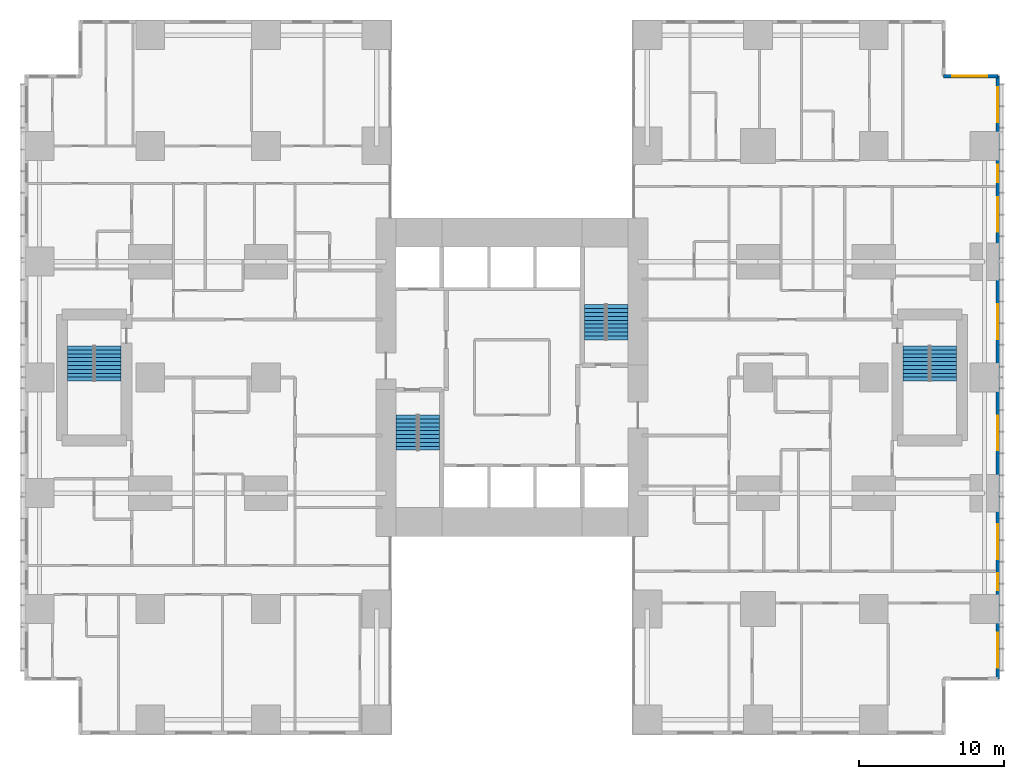
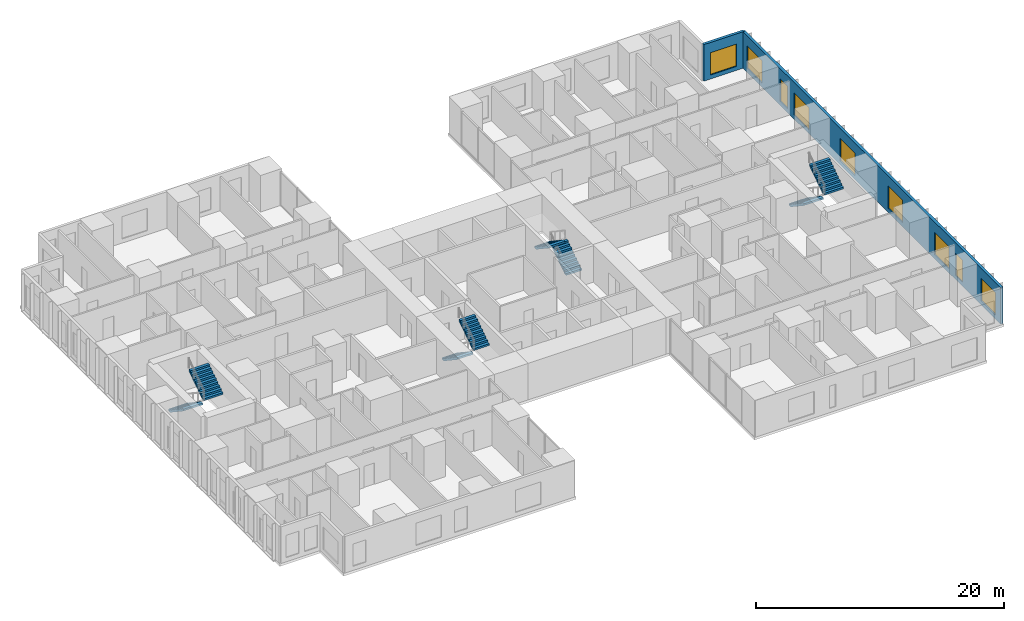
# One storey, part 19 of 20: 9 windows, 8 stair flights, 2 walls, 9 openings, 4 elements without a shape of their own.
"""IFC4 building model written with IfcOpenShell, lengths in metres."""

import ifcopenshell
import ifcopenshell.guid

model = None  # the IFC model being written
_history = None  # IfcOwnerHistory: only IFC2X3 demands one
_inside = {}  # id of a spatial element -> (the spatial element, [elements in it])
_under = {}  # id of a project, library or spatial element -> (it, [spatial elements below it])
_declared = {}  # id of a project -> (the project, [libraries it declares])
_typed = {}  # id of a type object -> (the type object, [elements of that type])
_made_of = {}  # id of a material, layer set ... -> (it, [elements and type objects made of it])


def new_model(schema):
    """Start an empty IFC model of exactly this schema.

    Asked for "IFC4X3", IfcOpenShell would pick the latest addendum, in which some entities
    have other attributes; the version numbers below select the first issue.
    IFC2X3 requires an IfcOwnerHistory on every rooted entity: one is made here for all.
    """
    global model, _history
    if schema == "IFC4X3":
        model = ifcopenshell.file(schema_version=(4, 3, 0, 0))
    else:
        model = ifcopenshell.file(schema=schema)
    _inside.clear()
    _under.clear()
    _declared.clear()
    _typed.clear()
    _made_of.clear()
    _history = None
    if model.schema == "IFC2X3":
        org = make("IfcOrganization", Name="unknown")
        user = make(
            "IfcPersonAndOrganization",
            ThePerson=make("IfcPerson", FamilyName="unknown"),
            TheOrganization=org,
        )
        app = make(
            "IfcApplication",
            ApplicationDeveloper=org,
            Version="unknown",
            ApplicationFullName="unknown",
            ApplicationIdentifier="unknown",
        )
        _history = make(
            "IfcOwnerHistory",
            OwningUser=user,
            OwningApplication=app,
            ChangeAction="ADDED",
            CreationDate=0,
        )
    return model


def make(cls, **values):
    """One entity of the class cls with the attributes given. An attribute that is None is left unset."""
    return model.create_entity(
        cls, **{name: value for name, value in values.items() if value is not None}
    )


def rooted(cls, **values):
    """An entity with a GlobalId (a new one), such as an element, a storey or a relation."""
    return make(cls, GlobalId=ifcopenshell.guid.new(), OwnerHistory=_history, **values)


def si_unit(unit_type, name, prefix=None):
    """IfcSIUnit, for example si_unit("LENGTHUNIT", "METRE", prefix="MILLI")."""
    return make("IfcSIUnit", UnitType=unit_type, Prefix=prefix, Name=name)


def assignment(units):
    """IfcUnitAssignment: the units of a project."""
    return None if units is None else make("IfcUnitAssignment", Units=units)


def point(xyz):
    """IfcCartesianPoint."""
    return None if xyz is None else make("IfcCartesianPoint", Coordinates=xyz)


def direction(xyz):
    """IfcDirection."""
    return None if xyz is None else make("IfcDirection", DirectionRatios=xyz)


def frame(location, z_axis=None, x_axis=None):
    """IfcAxis2Placement3D, a coordinate frame: its origin and axes. An axis left out is left unset."""
    return make(
        "IfcAxis2Placement3D",
        Location=point(location),
        Axis=direction(z_axis),
        RefDirection=direction(x_axis),
    )


def frame_2d(location, x_axis=None):
    """IfcAxis2Placement2D, a coordinate frame in the plane: its origin and x axis."""
    return make(
        "IfcAxis2Placement2D", Location=point(location), RefDirection=direction(x_axis)
    )


def origin():
    """The frame at (0, 0, 0) with its axes left unset."""
    return frame((0.0, 0.0, 0.0))


def place(relative_to, where):
    """IfcLocalPlacement: puts the frame where relative to a parent placement (None: the world)."""
    return make(
        "IfcLocalPlacement", PlacementRelTo=relative_to, RelativePlacement=where
    )


def context(
    kind, dimensions, precision=None, world=None, true_north=None, identifier=None
):
    """IfcGeometricRepresentationContext, for example the 3D "Model" context."""
    return make(
        "IfcGeometricRepresentationContext",
        ContextIdentifier=identifier,
        ContextType=kind,
        CoordinateSpaceDimension=dimensions,
        Precision=precision,
        WorldCoordinateSystem=world,
        TrueNorth=true_north,
    )


def subcontext(parent, identifier, kind, view, scale=None):
    """IfcGeometricRepresentationSubContext, for example "Body" below "Model"."""
    return make(
        "IfcGeometricRepresentationSubContext",
        ContextIdentifier=identifier,
        ContextType=kind,
        ParentContext=parent,
        TargetScale=scale,
        TargetView=view,
    )


def project(units=None, contexts=None):
    """IfcProject with its units and contexts."""
    return rooted(
        "IfcProject",
        Name="project",
        RepresentationContexts=contexts,
        UnitsInContext=assignment(units),
    )


def spatial(cls, under=None, at=None, **own):
    """A site, building, storey or space (cls), placed at a placement, below another one or the project."""
    s = rooted(cls, ObjectPlacement=at, **own)
    if under is not None:
        _under.setdefault(under.id(), (under, []))[1].append(s)
    return s


def polyline(points):
    """IfcPolyline through the points."""
    return make("IfcPolyline", Points=[point(p) for p in points])


def profile(cls, at=None, kind="AREA", **sizes):
    """A parametric profile (cls). Its sizes go by their IFC names, for example OverallWidth=200.0."""
    return make(cls, ProfileType=kind, Position=at, **sizes)


def rectangle(**sizes):
    """IfcRectangleProfileDef."""
    return profile("IfcRectangleProfileDef", **sizes)


def outline(outer, holes=None, kind="AREA"):
    """IfcArbitraryClosedProfileDef: a profile drawn as a closed curve; with holes, ...WithVoids."""
    if holes is None:
        return make("IfcArbitraryClosedProfileDef", ProfileType=kind, OuterCurve=outer)
    return make(
        "IfcArbitraryProfileDefWithVoids",
        ProfileType=kind,
        OuterCurve=outer,
        InnerCurves=holes,
    )


def extrude(swept, where, along, depth):
    """IfcExtrudedAreaSolid: the profile swept, set in the frame where, extruded along a direction by depth."""
    return make(
        "IfcExtrudedAreaSolid",
        SweptArea=swept,
        Position=where,
        ExtrudedDirection=direction(along),
        Depth=depth,
    )


def shape(context_of_items, identifier, shape_type, items):
    """IfcShapeRepresentation: the items that make up one representation, for example the "Body"."""
    return make(
        "IfcShapeRepresentation",
        ContextOfItems=context_of_items,
        RepresentationIdentifier=identifier,
        RepresentationType=shape_type,
        Items=items,
    )


def material(Name=None, Category=None):
    """IfcMaterial."""
    return make("IfcMaterial", Name=Name, Category=Category)


def layer(
    of_material, thickness, ventilated=None, Name=None, Category=None, Priority=None
):
    """IfcMaterialLayer: one layer of a wall or slab, of a material (None: an air gap)."""
    return make(
        "IfcMaterialLayer",
        Material=of_material,
        LayerThickness=thickness,
        IsVentilated=ventilated,
        Name=Name,
        Category=Category,
        Priority=Priority,
    )


def layer_set(layers, Name=None):
    """IfcMaterialLayerSet."""
    return make("IfcMaterialLayerSet", MaterialLayers=layers, LayerSetName=Name)


def made_of(thing, what):
    """Note that an element or type object is made of a material, layer set ...; save() writes the relation."""
    if what is not None:
        _made_of.setdefault(what.id(), (what, []))[1].append(thing)
    return thing


def type_object(cls, material=None, **own):
    """A type object (cls), such as IfcWallType, which elements share."""
    return made_of(rooted(cls, **own), material)


def element(
    cls,
    number,
    at=None,
    inside=None,
    cuts=None,
    type_object=None,
    material=None,
    context=None,
    identifier="Body",
    shape_type=None,
    held_by="IfcProductDefinitionShape",
    body=None,
    shapes=None,
    **own,
):
    """One element of the class cls, such as IfcWall. Its Tag is "e" and its number.

    at: its placement. inside: the storey or other place that contains it. cuts: it is an
    opening in that element (IfcRelVoidsElement). A single representation is given by context,
    identifier, shape_type and body (its items); several are given by shapes. held_by: the class
    of the entity that holds the representations. save() writes the other relations.
    """
    e = rooted(cls, Tag="e%d" % number, ObjectPlacement=at, **own)
    if body is not None:
        shapes = [shape(context, identifier, shape_type, body)]
    if shapes is not None:
        e.Representation = make(held_by, Representations=shapes)
    if inside is not None:
        _inside.setdefault(inside.id(), (inside, []))[1].append(e)
    if cuts is not None:
        rooted(
            "IfcRelVoidsElement", RelatingBuildingElement=cuts, RelatedOpeningElement=e
        )
    if type_object is not None:
        _typed.setdefault(type_object.id(), (type_object, []))[1].append(e)
    return made_of(e, material)


def fill(opening, filler):
    """IfcRelFillsElement: the door or window that sits in an opening."""
    return rooted(
        "IfcRelFillsElement",
        RelatingOpeningElement=opening,
        RelatedBuildingElement=filler,
    )


def aggregate(whole, parts):
    """IfcRelAggregates: a whole, such as a stair, and the parts it consists of."""
    return rooted("IfcRelAggregates", RelatingObject=whole, RelatedObjects=parts)


def save(model, path):
    """Write the relations noted so far, then the file.

    IfcRelAggregates (storeys below a building ...), IfcRelContainedInSpatialStructure (elements
    in a storey), IfcRelDefinesByType, IfcRelAssociatesMaterial and IfcRelDeclares: one each for
    every whole, place, type object, material and project.
    """
    for whole, parts in _under.values():
        aggregate(whole, parts)
    for where, things in _inside.values():
        rooted(
            "IfcRelContainedInSpatialStructure",
            RelatedElements=things,
            RelatingStructure=where,
        )
    for kind, things in _typed.values():
        rooted("IfcRelDefinesByType", RelatedObjects=things, RelatingType=kind)
    for what, things in _made_of.values():
        rooted("IfcRelAssociatesMaterial", RelatedObjects=things, RelatingMaterial=what)
    for by, libraries in _declared.values():
        rooted("IfcRelDeclares", RelatingContext=by, RelatedDefinitions=libraries)
    model.write(path)


model = new_model("IFC4")

# Units and contexts
model_context = context("Model", 3, precision=1e-05, world=origin(), true_north=direction((0.0, 1.0)))
body_context = subcontext(model_context, "Body", "Model", "MODEL_VIEW")
ifc_project = project(units=[si_unit("LENGTHUNIT", "METRE"), si_unit("AREAUNIT", "SQUARE_METRE"), si_unit("VOLUMEUNIT", "CUBIC_METRE"), si_unit("PLANEANGLEUNIT", "RADIAN"), si_unit("MASSUNIT", "GRAM", prefix="KILO")], contexts=[model_context])

# Site, building, storey
site_placement = place(None, origin())
site = spatial("IfcSite", under=ifc_project, at=site_placement, CompositionType="ELEMENT")
building_placement = place(site_placement, origin())
building = spatial("IfcBuilding", under=site, at=building_placement, Name="Cleftline Residences", CompositionType="ELEMENT")
storey_placement = place(building_placement, frame((0.0, 0.0, 150.199951171875)))
storey = spatial("IfcBuildingStorey", under=building, at=storey_placement, Name="L39", CompositionType="ELEMENT", Elevation=150.199951171875)

# Wall, openings, windows
ifc_material_1 = material(Name="Rendered reinforced concrete blockwork", Category="masonry")
ifc_layer = layer(ifc_material_1, 0.25)
ifc_layer_set = layer_set([ifc_layer], Name="EXTERNAL WALL 250")
wall_type = type_object("IfcWallType", Name="EXTERNAL WALL 250", PredefinedType="SOLIDWALL", material=ifc_layer_set)
wall_1_placement = place(storey_placement, frame((66.574951171875, 3.175048828125, 0.0), z_axis=(0.0, 0.0, 1.0), x_axis=(0.0, 1.0, 0.0)))
wall_1 = element("IfcWall", 1, at=wall_1_placement, inside=storey, type_object=wall_type, Name="External wall", PredefinedType="SOLIDWALL", context=body_context, shape_type="SweptSolid", body=[
    extrude(rectangle(XDim=41.64990234375, YDim=0.25, at=frame_2d((20.824951171875, 0.0))), origin(), (0.0, 0.0, 1.0), 3.60009765625),
])
opening_1_placement = place(wall_1_placement, frame((0.77490234375, 0.0, 0.39990234375)))
opening_1 = element("IfcOpeningElement", 2, at=opening_1_placement, cuts=wall_1, Name="Opening W12", PredefinedType="OPENING", context=body_context, shape_type="SweptSolid", body=[
    extrude(rectangle(XDim=2.39990234375, YDim=2.199951171875, at=frame_2d((1.199951171875, 1.10009765625))), frame((0.0, 0.135009765625, 0.0), z_axis=(0.0, -1.0, 0.0), x_axis=(1.0, 0.0, 0.0)), (0.0, 0.0, 1.0), 0.27001953125),
])
opening_2_placement = place(wall_1_placement, frame((6.10009765625, 0.0, 0.39990234375)))
opening_2 = element("IfcOpeningElement", 3, at=opening_2_placement, cuts=wall_1, Name="Opening W11", PredefinedType="OPENING", context=body_context, shape_type="SweptSolid", body=[
    extrude(rectangle(XDim=1.199951171875, YDim=2.199951171875, at=frame_2d((0.60009765625, 1.10009765625))), frame((0.0, 0.135009765625, 0.0), z_axis=(0.0, -1.0, 0.0), x_axis=(1.0, 0.0, 0.0)), (0.0, 0.0, 1.0), 0.27001953125),
])
opening_3_placement = place(wall_1_placement, frame((8.27490234375, 0.0, 0.39990234375)))
opening_3 = element("IfcOpeningElement", 4, at=opening_3_placement, cuts=wall_1, Name="Opening W12", PredefinedType="OPENING", context=body_context, shape_type="SweptSolid", body=[
    extrude(rectangle(XDim=2.39990234375, YDim=2.199951171875, at=frame_2d((1.199951171875, 1.10009765625))), frame((0.0, 0.135009765625, 0.0), z_axis=(0.0, -1.0, 0.0), x_axis=(1.0, 0.0, 0.0)), (0.0, 0.0, 1.0), 0.27001953125),
])
opening_4_placement = place(wall_1_placement, frame((15.77490234375, 0.0, 0.39990234375)))
opening_4 = element("IfcOpeningElement", 5, at=opening_4_placement, cuts=wall_1, Name="Opening W12", PredefinedType="OPENING", context=body_context, shape_type="SweptSolid", body=[
    extrude(rectangle(XDim=2.39990234375, YDim=2.199951171875, at=frame_2d((1.199951171875, 1.10009765625))), frame((0.0, 0.135009765625, 0.0), z_axis=(0.0, -1.0, 0.0), x_axis=(1.0, 0.0, 0.0)), (0.0, 0.0, 1.0), 0.27001953125),
])
opening_5_placement = place(wall_1_placement, frame((23.47509765625, 0.0, 0.39990234375)))
opening_5 = element("IfcOpeningElement", 6, at=opening_5_placement, cuts=wall_1, Name="Opening W12", PredefinedType="OPENING", context=body_context, shape_type="SweptSolid", body=[
    extrude(rectangle(XDim=2.39990234375, YDim=2.199951171875, at=frame_2d((1.199951171875, 1.10009765625))), frame((0.0, 0.135009765625, 0.0), z_axis=(0.0, -1.0, 0.0), x_axis=(1.0, 0.0, 0.0)), (0.0, 0.0, 1.0), 0.27001953125),
])
opening_6_placement = place(wall_1_placement, frame((30.875, 0.0, 0.39990234375)))
opening_6 = element("IfcOpeningElement", 7, at=opening_6_placement, cuts=wall_1, Name="Opening W12", PredefinedType="OPENING", context=body_context, shape_type="SweptSolid", body=[
    extrude(rectangle(XDim=2.39990234375, YDim=2.199951171875, at=frame_2d((1.199951171875, 1.10009765625))), frame((0.0, 0.135009765625, 0.0), z_axis=(0.0, -1.0, 0.0), x_axis=(1.0, 0.0, 0.0)), (0.0, 0.0, 1.0), 0.27001953125),
])
opening_7_placement = place(wall_1_placement, frame((34.324951171875, 0.0, 0.39990234375)))
opening_7 = element("IfcOpeningElement", 8, at=opening_7_placement, cuts=wall_1, Name="Opening W11", PredefinedType="OPENING", context=body_context, shape_type="SweptSolid", body=[
    extrude(rectangle(XDim=1.199951171875, YDim=2.199951171875, at=frame_2d((0.60009765625, 1.10009765625))), frame((0.0, 0.135009765625, 0.0), z_axis=(0.0, -1.0, 0.0), x_axis=(1.0, 0.0, 0.0)), (0.0, 0.0, 1.0), 0.27001953125),
])
opening_8_placement = place(wall_1_placement, frame((38.47509765625, 0.0, 0.39990234375)))
opening_8 = element("IfcOpeningElement", 9, at=opening_8_placement, cuts=wall_1, Name="Opening W12", PredefinedType="OPENING", context=body_context, shape_type="SweptSolid", body=[
    extrude(rectangle(XDim=2.39990234375, YDim=2.199951171875, at=frame_2d((1.199951171875, 1.10009765625))), frame((0.0, 0.135009765625, 0.0), z_axis=(0.0, -1.0, 0.0), x_axis=(1.0, 0.0, 0.0)), (0.0, 0.0, 1.0), 0.27001953125),
])
ifc_material_2 = material(Name="Aluminium frame, clear double glazing", Category="aluminium")
window_type_1 = type_object("IfcWindowType", Name="WINDOW 1200X2200", PartitioningType="DOUBLE_PANEL_VERTICAL", PredefinedType="WINDOW", material=ifc_material_2)
window_1_placement = place(opening_2_placement, origin())
window_1 = element("IfcWindow", 10, at=window_1_placement, inside=storey, type_object=window_type_1, Name="Window", OverallHeight=2.199951171875, OverallWidth=1.199951171875, PartitioningType="SINGLE_PANEL", PredefinedType="WINDOW", context=body_context, shape_type="SweptSolid", body=[
    extrude(rectangle(XDim=1.199951171875, YDim=2.199951171875, at=frame_2d((0.60009765625, 1.10009765625))), frame((0.0, 0.030029296875, 0.0), z_axis=(0.0, -1.0, 0.0), x_axis=(1.0, 0.0, 0.0)), (0.0, 0.0, 1.0), 0.06005859375),
])
fill(opening_2, window_1)
window_2_placement = place(opening_7_placement, origin())
window_2 = element("IfcWindow", 11, at=window_2_placement, inside=storey, type_object=window_type_1, Name="Window", OverallHeight=2.199951171875, OverallWidth=1.199951171875, PartitioningType="SINGLE_PANEL", PredefinedType="WINDOW", context=body_context, shape_type="SweptSolid", body=[
    extrude(rectangle(XDim=1.199951171875, YDim=2.199951171875, at=frame_2d((0.60009765625, 1.10009765625))), frame((0.0, 0.030029296875, 0.0), z_axis=(0.0, -1.0, 0.0), x_axis=(1.0, 0.0, 0.0)), (0.0, 0.0, 1.0), 0.06005859375),
])
fill(opening_7, window_2)
ifc_material_3 = material(Name="Aluminium frame, clear double glazing", Category="aluminium")
window_type_2 = type_object("IfcWindowType", Name="WINDOW 2400X2200", PartitioningType="DOUBLE_PANEL_VERTICAL", PredefinedType="WINDOW", material=ifc_material_3)
window_3_placement = place(opening_1_placement, origin())
window_3 = element("IfcWindow", 12, at=window_3_placement, inside=storey, type_object=window_type_2, Name="Window", OverallHeight=2.199951171875, OverallWidth=2.39990234375, PartitioningType="SINGLE_PANEL", PredefinedType="WINDOW", context=body_context, shape_type="SweptSolid", body=[
    extrude(rectangle(XDim=2.39990234375, YDim=2.199951171875, at=frame_2d((1.199951171875, 1.10009765625))), frame((0.0, 0.030029296875, 0.0), z_axis=(0.0, -1.0, 0.0), x_axis=(1.0, 0.0, 0.0)), (0.0, 0.0, 1.0), 0.06005859375),
])
fill(opening_1, window_3)
window_4_placement = place(opening_3_placement, origin())
window_4 = element("IfcWindow", 13, at=window_4_placement, inside=storey, type_object=window_type_2, Name="Window", OverallHeight=2.199951171875, OverallWidth=2.39990234375, PartitioningType="SINGLE_PANEL", PredefinedType="WINDOW", context=body_context, shape_type="SweptSolid", body=[
    extrude(rectangle(XDim=2.39990234375, YDim=2.199951171875, at=frame_2d((1.199951171875, 1.10009765625))), frame((0.0, 0.030029296875, 0.0), z_axis=(0.0, -1.0, 0.0), x_axis=(1.0, 0.0, 0.0)), (0.0, 0.0, 1.0), 0.06005859375),
])
fill(opening_3, window_4)
window_5_placement = place(opening_4_placement, origin())
window_5 = element("IfcWindow", 14, at=window_5_placement, inside=storey, type_object=window_type_2, Name="Window", OverallHeight=2.199951171875, OverallWidth=2.39990234375, PartitioningType="SINGLE_PANEL", PredefinedType="WINDOW", context=body_context, shape_type="SweptSolid", body=[
    extrude(rectangle(XDim=2.39990234375, YDim=2.199951171875, at=frame_2d((1.199951171875, 1.10009765625))), frame((0.0, 0.030029296875, 0.0), z_axis=(0.0, -1.0, 0.0), x_axis=(1.0, 0.0, 0.0)), (0.0, 0.0, 1.0), 0.06005859375),
])
fill(opening_4, window_5)
window_6_placement = place(opening_5_placement, origin())
window_6 = element("IfcWindow", 15, at=window_6_placement, inside=storey, type_object=window_type_2, Name="Window", OverallHeight=2.199951171875, OverallWidth=2.39990234375, PartitioningType="SINGLE_PANEL", PredefinedType="WINDOW", context=body_context, shape_type="SweptSolid", body=[
    extrude(rectangle(XDim=2.39990234375, YDim=2.199951171875, at=frame_2d((1.199951171875, 1.10009765625))), frame((0.0, 0.030029296875, 0.0), z_axis=(0.0, -1.0, 0.0), x_axis=(1.0, 0.0, 0.0)), (0.0, 0.0, 1.0), 0.06005859375),
])
fill(opening_5, window_6)
window_7_placement = place(opening_6_placement, origin())
window_7 = element("IfcWindow", 16, at=window_7_placement, inside=storey, type_object=window_type_2, Name="Window", OverallHeight=2.199951171875, OverallWidth=2.39990234375, PartitioningType="SINGLE_PANEL", PredefinedType="WINDOW", context=body_context, shape_type="SweptSolid", body=[
    extrude(rectangle(XDim=2.39990234375, YDim=2.199951171875, at=frame_2d((1.199951171875, 1.10009765625))), frame((0.0, 0.030029296875, 0.0), z_axis=(0.0, -1.0, 0.0), x_axis=(1.0, 0.0, 0.0)), (0.0, 0.0, 1.0), 0.06005859375),
])
fill(opening_6, window_7)
window_8_placement = place(opening_8_placement, origin())
window_8 = element("IfcWindow", 17, at=window_8_placement, inside=storey, type_object=window_type_2, Name="Window", OverallHeight=2.199951171875, OverallWidth=2.39990234375, PartitioningType="SINGLE_PANEL", PredefinedType="WINDOW", context=body_context, shape_type="SweptSolid", body=[
    extrude(rectangle(XDim=2.39990234375, YDim=2.199951171875, at=frame_2d((1.199951171875, 1.10009765625))), frame((0.0, 0.030029296875, 0.0), z_axis=(0.0, -1.0, 0.0), x_axis=(1.0, 0.0, 0.0)), (0.0, 0.0, 1.0), 0.06005859375),
])
fill(opening_8, window_8)

# Wall, opening, window
wall_2_placement = place(storey_placement, frame((66.574951171875, 44.824951171875, 0.0), z_axis=(0.0, 0.0, 1.0), x_axis=(-1.0, 0.0, 0.0)))
wall_2 = element("IfcWall", 18, at=wall_2_placement, inside=storey, type_object=wall_type, Name="External wall", PredefinedType="SOLIDWALL", context=body_context, shape_type="SweptSolid", body=[
    extrude(rectangle(XDim=3.75, YDim=0.25, at=frame_2d((1.875, 0.0))), origin(), (0.0, 0.0, 1.0), 3.60009765625),
])
opening_9_placement = place(wall_2_placement, frame((0.737548828125, 0.0, 0.39990234375)))
opening_9 = element("IfcOpeningElement", 19, at=opening_9_placement, cuts=wall_2, Name="Opening W12", PredefinedType="OPENING", context=body_context, shape_type="SweptSolid", body=[
    extrude(rectangle(XDim=2.39990234375, YDim=2.199951171875, at=frame_2d((1.199951171875, 1.10009765625))), frame((0.0, 0.135009765625, 0.0), z_axis=(0.0, -1.0, 0.0), x_axis=(1.0, 0.0, 0.0)), (0.0, 0.0, 1.0), 0.27001953125),
])
window_9_placement = place(opening_9_placement, origin())
window_9 = element("IfcWindow", 20, at=window_9_placement, inside=storey, type_object=window_type_2, Name="Window", OverallHeight=2.199951171875, OverallWidth=2.39990234375, PartitioningType="SINGLE_PANEL", PredefinedType="WINDOW", context=body_context, shape_type="SweptSolid", body=[
    extrude(rectangle(XDim=2.39990234375, YDim=2.199951171875, at=frame_2d((1.199951171875, 1.10009765625))), frame((0.0, 0.030029296875, 0.0), z_axis=(0.0, -1.0, 0.0), x_axis=(1.0, 0.0, 0.0)), (0.0, 0.0, 1.0), 0.06005859375),
])
fill(opening_9, window_9)

# Stair, stair flights
ifc_material_4 = material(Name="Concrete B45, stone treads", Category="masonry")
stair_type_1 = type_object("IfcStairType", Name="STAIR A 1450 WIDE 180 RISER", PredefinedType="HALF_TURN_STAIR", material=ifc_material_4)
stair_1_placement = place(storey_placement, origin())
stair_1 = element("IfcStair", 21, at=stair_1_placement, inside=storey, type_object=stair_type_1, Name="Stair A L39", PredefinedType="HALF_TURN_STAIR")
ifc_material_5 = material(Name="Concrete B45", Category="concrete")
stair_flight_type_1 = type_object("IfcStairFlightType", Name="STAIR A FLIGHT 1450X180", PredefinedType="STRAIGHT", material=ifc_material_5)
stair_flight_1_placement = place(storey_placement, frame((25.72509765625, 21.39990234375, 0.0), z_axis=(0.0, 0.0, 1.0), x_axis=(0.0, -1.0, 0.0)))
stair_flight_1 = element("IfcStairFlight", 22, at=stair_flight_1_placement, type_object=stair_flight_type_1, Name="ST-A flight 1", NumberOfRisers=10, NumberOfTreads=9, PredefinedType="STRAIGHT", RiserHeight=0.18, TreadLength=0.27, context=body_context, shape_type="SweptSolid", body=[
    extrude(outline(polyline([(0.0, 0.0), (0.0, 0.013916015625), (0.0, 0.027587890625), (0.0, 0.04150390625), (0.0, 0.055419921875), (0.0, 0.0693359375), (0.0, 0.0830078125), (0.0, 0.096923828125), (0.0, 0.11083984375), (0.0, 0.12451171875), (0.0, 0.138427734375), (0.0, 0.15234375), (0.0, 0.166259765625), (0.0, 0.179931640625), (0.27001953125, 0.179931640625), (0.27001953125, 0.360107421875), (0.5400390625, 0.360107421875), (0.5400390625, 0.5400390625), (0.81005859375, 0.5400390625), (0.81005859375, 0.719970703125), (1.080078125, 0.719970703125), (1.080078125, 0.89990234375), (1.35009765625, 0.89990234375), (1.35009765625, 1.080078125), (1.6201171875, 1.080078125), (1.6201171875, 1.260009765625), (1.889892578125, 1.260009765625), (1.889892578125, 1.43994140625), (2.159912109375, 1.43994140625), (2.159912109375, 1.6201171875), (2.429931640625, 1.6201171875), (2.429931640625, 1.800048828125), (2.429931640625, 1.772216796875), (2.429931640625, 1.74462890625), (2.429931640625, 1.716796875), (2.429931640625, 1.689208984375), (2.429931640625, 1.661376953125), (2.429931640625, 1.6337890625), (2.429931640625, 1.60595703125), (2.429931640625, 1.578369140625), (2.429931640625, 1.550537109375), (2.429931640625, 1.52294921875), (2.429931640625, 1.495361328125), (2.429931640625, 1.467529296875), (2.429931640625, 1.43994140625), (0.270263671875, 0.0), (0.0, 0.0)])), frame((0.0, 0.72509765625, 0.0), z_axis=(0.0, -1.0, 0.0), x_axis=(1.0, 0.0, 0.0)), (0.0, 0.0, 1.0), 1.449951171875),
])
stair_flight_2_placement = place(storey_placement, frame((27.27490234375, 18.969970703125, 1.800048828125), z_axis=(0.0, 0.0, 1.0), x_axis=(0.0, 1.0, 0.0)))
stair_flight_2 = element("IfcStairFlight", 23, at=stair_flight_2_placement, type_object=stair_flight_type_1, Name="ST-A flight 2", NumberOfRisers=10, NumberOfTreads=9, PredefinedType="STRAIGHT", RiserHeight=0.18, TreadLength=0.27, context=body_context, shape_type="SweptSolid", body=[
    extrude(outline(polyline([(0.0, 0.0), (0.0, 0.013916015625), (0.0, 0.027587890625), (0.0, 0.04150390625), (0.0, 0.055419921875), (0.0, 0.0693359375), (0.0, 0.0830078125), (0.0, 0.096923828125), (0.0, 0.11083984375), (0.0, 0.12451171875), (0.0, 0.138427734375), (0.0, 0.15234375), (0.0, 0.166259765625), (0.0, 0.179931640625), (0.27001953125, 0.179931640625), (0.27001953125, 0.360107421875), (0.5400390625, 0.360107421875), (0.5400390625, 0.5400390625), (0.81005859375, 0.5400390625), (0.81005859375, 0.719970703125), (1.080078125, 0.719970703125), (1.080078125, 0.89990234375), (1.35009765625, 0.89990234375), (1.35009765625, 1.080078125), (1.6201171875, 1.080078125), (1.6201171875, 1.260009765625), (1.889892578125, 1.260009765625), (1.889892578125, 1.43994140625), (2.159912109375, 1.43994140625), (2.159912109375, 1.6201171875), (2.429931640625, 1.6201171875), (2.429931640625, 1.800048828125), (2.429931640625, 1.772216796875), (2.429931640625, 1.74462890625), (2.429931640625, 1.716796875), (2.429931640625, 1.689208984375), (2.429931640625, 1.661376953125), (2.429931640625, 1.6337890625), (2.429931640625, 1.60595703125), (2.429931640625, 1.578369140625), (2.429931640625, 1.550537109375), (2.429931640625, 1.52294921875), (2.429931640625, 1.495361328125), (2.429931640625, 1.467529296875), (2.429931640625, 1.43994140625), (0.270263671875, 0.0), (0.0, 0.0)])), frame((0.0, 0.72509765625, 0.0), z_axis=(0.0, -1.0, 0.0), x_axis=(1.0, 0.0, 0.0)), (0.0, 0.0, 1.0), 1.449951171875),
])
aggregate(stair_1, [stair_flight_1, stair_flight_2])

ifc_material_6 = material(Name="Concrete B45, stone treads", Category="masonry")
stair_type_2 = type_object("IfcStairType", Name="STAIR B 1450 WIDE 180 RISER", PredefinedType="HALF_TURN_STAIR", material=ifc_material_6)
stair_2_placement = place(storey_placement, origin())
stair_2 = element("IfcStair", 24, at=stair_2_placement, inside=storey, type_object=stair_type_2, Name="Stair B L39", PredefinedType="HALF_TURN_STAIR")
ifc_material_7 = material(Name="Concrete B45", Category="concrete")
stair_flight_type_2 = type_object("IfcStairFlightType", Name="STAIR B FLIGHT 1450X180", PredefinedType="STRAIGHT", material=ifc_material_7)
stair_flight_3_placement = place(storey_placement, frame((40.27490234375, 26.60009765625, 0.0), z_axis=(0.0, 0.0, 1.0), x_axis=(0.0, 1.0, 0.0)))
stair_flight_3 = element("IfcStairFlight", 25, at=stair_flight_3_placement, type_object=stair_flight_type_2, Name="ST-B flight 1", NumberOfRisers=10, NumberOfTreads=9, PredefinedType="STRAIGHT", RiserHeight=0.18, TreadLength=0.27, context=body_context, shape_type="SweptSolid", body=[
    extrude(outline(polyline([(0.0, 0.0), (0.0, 0.013916015625), (0.0, 0.027587890625), (0.0, 0.04150390625), (0.0, 0.055419921875), (0.0, 0.0693359375), (0.0, 0.0830078125), (0.0, 0.096923828125), (0.0, 0.11083984375), (0.0, 0.12451171875), (0.0, 0.138427734375), (0.0, 0.15234375), (0.0, 0.166259765625), (0.0, 0.179931640625), (0.27001953125, 0.179931640625), (0.27001953125, 0.360107421875), (0.5400390625, 0.360107421875), (0.5400390625, 0.5400390625), (0.81005859375, 0.5400390625), (0.81005859375, 0.719970703125), (1.080078125, 0.719970703125), (1.080078125, 0.89990234375), (1.35009765625, 0.89990234375), (1.35009765625, 1.080078125), (1.6201171875, 1.080078125), (1.6201171875, 1.260009765625), (1.889892578125, 1.260009765625), (1.889892578125, 1.43994140625), (2.159912109375, 1.43994140625), (2.159912109375, 1.6201171875), (2.429931640625, 1.6201171875), (2.429931640625, 1.800048828125), (2.429931640625, 1.772216796875), (2.429931640625, 1.74462890625), (2.429931640625, 1.716796875), (2.429931640625, 1.689208984375), (2.429931640625, 1.661376953125), (2.429931640625, 1.6337890625), (2.429931640625, 1.60595703125), (2.429931640625, 1.578369140625), (2.429931640625, 1.550537109375), (2.429931640625, 1.52294921875), (2.429931640625, 1.495361328125), (2.429931640625, 1.467529296875), (2.429931640625, 1.43994140625), (0.270263671875, 0.0), (0.0, 0.0)])), frame((0.0, 0.72509765625, 0.0), z_axis=(0.0, -1.0, 0.0), x_axis=(1.0, 0.0, 0.0)), (0.0, 0.0, 1.0), 1.449951171875),
])
stair_flight_4_placement = place(storey_placement, frame((38.72509765625, 29.030029296875, 1.800048828125), z_axis=(0.0, 0.0, 1.0), x_axis=(0.0, -1.0, 0.0)))
stair_flight_4 = element("IfcStairFlight", 26, at=stair_flight_4_placement, type_object=stair_flight_type_2, Name="ST-B flight 2", NumberOfRisers=10, NumberOfTreads=9, PredefinedType="STRAIGHT", RiserHeight=0.18, TreadLength=0.27, context=body_context, shape_type="SweptSolid", body=[
    extrude(outline(polyline([(0.0, 0.0), (0.0, 0.013916015625), (0.0, 0.027587890625), (0.0, 0.04150390625), (0.0, 0.055419921875), (0.0, 0.0693359375), (0.0, 0.0830078125), (0.0, 0.096923828125), (0.0, 0.11083984375), (0.0, 0.12451171875), (0.0, 0.138427734375), (0.0, 0.15234375), (0.0, 0.166259765625), (0.0, 0.179931640625), (0.27001953125, 0.179931640625), (0.27001953125, 0.360107421875), (0.5400390625, 0.360107421875), (0.5400390625, 0.5400390625), (0.81005859375, 0.5400390625), (0.81005859375, 0.719970703125), (1.080078125, 0.719970703125), (1.080078125, 0.89990234375), (1.35009765625, 0.89990234375), (1.35009765625, 1.080078125), (1.6201171875, 1.080078125), (1.6201171875, 1.260009765625), (1.889892578125, 1.260009765625), (1.889892578125, 1.43994140625), (2.159912109375, 1.43994140625), (2.159912109375, 1.6201171875), (2.429931640625, 1.6201171875), (2.429931640625, 1.800048828125), (2.429931640625, 1.772216796875), (2.429931640625, 1.74462890625), (2.429931640625, 1.716796875), (2.429931640625, 1.689208984375), (2.429931640625, 1.661376953125), (2.429931640625, 1.6337890625), (2.429931640625, 1.60595703125), (2.429931640625, 1.578369140625), (2.429931640625, 1.550537109375), (2.429931640625, 1.52294921875), (2.429931640625, 1.495361328125), (2.429931640625, 1.467529296875), (2.429931640625, 1.43994140625), (0.270263671875, 0.0), (0.0, 0.0)])), frame((0.0, 0.72509765625, 0.0), z_axis=(0.0, -1.0, 0.0), x_axis=(1.0, 0.0, 0.0)), (0.0, 0.0, 1.0), 1.449951171875),
])
aggregate(stair_2, [stair_flight_3, stair_flight_4])

ifc_material_8 = material(Name="Concrete B45, stone treads", Category="masonry")
stair_type_3 = type_object("IfcStairType", Name="STAIR E 1800 WIDE 180 RISER", PredefinedType="HALF_TURN_STAIR", material=ifc_material_8)
stair_3_placement = place(storey_placement, origin())
stair_3 = element("IfcStair", 27, at=stair_3_placement, inside=storey, type_object=stair_type_3, Name="Stair E L39", PredefinedType="HALF_TURN_STAIR")
ifc_material_9 = material(Name="Concrete B45", Category="concrete")
stair_flight_type_3 = type_object("IfcStairFlightType", Name="STAIR E FLIGHT 1800X180", PredefinedType="STRAIGHT", material=ifc_material_9)
stair_flight_5_placement = place(storey_placement, frame((60.925048828125, 26.175048828125, 0.0), z_axis=(0.0, 0.0, 1.0), x_axis=(0.0, -1.0, 0.0)))
stair_flight_5 = element("IfcStairFlight", 28, at=stair_flight_5_placement, type_object=stair_flight_type_3, Name="ST-E flight 1", NumberOfRisers=10, NumberOfTreads=9, PredefinedType="STRAIGHT", RiserHeight=0.18, TreadLength=0.27, context=body_context, shape_type="SweptSolid", body=[
    extrude(outline(polyline([(0.0, 0.0), (0.0, 0.013916015625), (0.0, 0.027587890625), (0.0, 0.04150390625), (0.0, 0.055419921875), (0.0, 0.0693359375), (0.0, 0.0830078125), (0.0, 0.096923828125), (0.0, 0.11083984375), (0.0, 0.12451171875), (0.0, 0.138427734375), (0.0, 0.15234375), (0.0, 0.166259765625), (0.0, 0.179931640625), (0.27001953125, 0.179931640625), (0.27001953125, 0.360107421875), (0.5400390625, 0.360107421875), (0.5400390625, 0.5400390625), (0.81005859375, 0.5400390625), (0.81005859375, 0.719970703125), (1.080078125, 0.719970703125), (1.080078125, 0.89990234375), (1.35009765625, 0.89990234375), (1.35009765625, 1.080078125), (1.6201171875, 1.080078125), (1.6201171875, 1.260009765625), (1.889892578125, 1.260009765625), (1.889892578125, 1.43994140625), (2.159912109375, 1.43994140625), (2.159912109375, 1.6201171875), (2.429931640625, 1.6201171875), (2.429931640625, 1.800048828125), (2.429931640625, 1.772216796875), (2.429931640625, 1.74462890625), (2.429931640625, 1.716796875), (2.429931640625, 1.689208984375), (2.429931640625, 1.661376953125), (2.429931640625, 1.6337890625), (2.429931640625, 1.60595703125), (2.429931640625, 1.578369140625), (2.429931640625, 1.550537109375), (2.429931640625, 1.52294921875), (2.429931640625, 1.495361328125), (2.429931640625, 1.467529296875), (2.429931640625, 1.43994140625), (0.270263671875, 0.0), (0.0, 0.0)])), frame((0.0, 0.89990234375, 0.0), z_axis=(0.0, -1.0, 0.0), x_axis=(1.0, 0.0, 0.0)), (0.0, 0.0, 1.0), 1.800048828125),
])
stair_flight_6_placement = place(storey_placement, frame((62.824951171875, 23.7451171875, 1.800048828125), z_axis=(0.0, 0.0, 1.0), x_axis=(0.0, 1.0, 0.0)))
stair_flight_6 = element("IfcStairFlight", 29, at=stair_flight_6_placement, type_object=stair_flight_type_3, Name="ST-E flight 2", NumberOfRisers=10, NumberOfTreads=9, PredefinedType="STRAIGHT", RiserHeight=0.18, TreadLength=0.27, context=body_context, shape_type="SweptSolid", body=[
    extrude(outline(polyline([(0.0, 0.0), (0.0, 0.013916015625), (0.0, 0.027587890625), (0.0, 0.04150390625), (0.0, 0.055419921875), (0.0, 0.0693359375), (0.0, 0.0830078125), (0.0, 0.096923828125), (0.0, 0.11083984375), (0.0, 0.12451171875), (0.0, 0.138427734375), (0.0, 0.15234375), (0.0, 0.166259765625), (0.0, 0.179931640625), (0.27001953125, 0.179931640625), (0.27001953125, 0.360107421875), (0.5400390625, 0.360107421875), (0.5400390625, 0.5400390625), (0.81005859375, 0.5400390625), (0.81005859375, 0.719970703125), (1.080078125, 0.719970703125), (1.080078125, 0.89990234375), (1.35009765625, 0.89990234375), (1.35009765625, 1.080078125), (1.6201171875, 1.080078125), (1.6201171875, 1.260009765625), (1.889892578125, 1.260009765625), (1.889892578125, 1.43994140625), (2.159912109375, 1.43994140625), (2.159912109375, 1.6201171875), (2.429931640625, 1.6201171875), (2.429931640625, 1.800048828125), (2.429931640625, 1.772216796875), (2.429931640625, 1.74462890625), (2.429931640625, 1.716796875), (2.429931640625, 1.689208984375), (2.429931640625, 1.661376953125), (2.429931640625, 1.6337890625), (2.429931640625, 1.60595703125), (2.429931640625, 1.578369140625), (2.429931640625, 1.550537109375), (2.429931640625, 1.52294921875), (2.429931640625, 1.495361328125), (2.429931640625, 1.467529296875), (2.429931640625, 1.43994140625), (0.270263671875, 0.0), (0.0, 0.0)])), frame((0.0, 0.89990234375, 0.0), z_axis=(0.0, -1.0, 0.0), x_axis=(1.0, 0.0, 0.0)), (0.0, 0.0, 1.0), 1.800048828125),
])
aggregate(stair_3, [stair_flight_5, stair_flight_6])

ifc_material_10 = material(Name="Concrete B45, stone treads", Category="masonry")
stair_type_4 = type_object("IfcStairType", Name="STAIR W 1800 WIDE 180 RISER", PredefinedType="HALF_TURN_STAIR", material=ifc_material_10)
stair_4_placement = place(storey_placement, origin())
stair_4 = element("IfcStair", 30, at=stair_4_placement, inside=storey, type_object=stair_type_4, Name="Stair W L39", PredefinedType="HALF_TURN_STAIR")
ifc_material_11 = material(Name="Concrete B45", Category="concrete")
stair_flight_type_4 = type_object("IfcStairFlightType", Name="STAIR W FLIGHT 1800X180", PredefinedType="STRAIGHT", material=ifc_material_11)
stair_flight_7_placement = place(storey_placement, frame((3.175048828125, 26.175048828125, 0.0), z_axis=(0.0, 0.0, 1.0), x_axis=(0.0, -1.0, 0.0)))
stair_flight_7 = element("IfcStairFlight", 31, at=stair_flight_7_placement, type_object=stair_flight_type_4, Name="ST-W flight 1", NumberOfRisers=10, NumberOfTreads=9, PredefinedType="STRAIGHT", RiserHeight=0.18, TreadLength=0.27, context=body_context, shape_type="SweptSolid", body=[
    extrude(outline(polyline([(0.0, 0.0), (0.0, 0.013916015625), (0.0, 0.027587890625), (0.0, 0.04150390625), (0.0, 0.055419921875), (0.0, 0.0693359375), (0.0, 0.0830078125), (0.0, 0.096923828125), (0.0, 0.11083984375), (0.0, 0.12451171875), (0.0, 0.138427734375), (0.0, 0.15234375), (0.0, 0.166259765625), (0.0, 0.179931640625), (0.27001953125, 0.179931640625), (0.27001953125, 0.360107421875), (0.5400390625, 0.360107421875), (0.5400390625, 0.5400390625), (0.81005859375, 0.5400390625), (0.81005859375, 0.719970703125), (1.080078125, 0.719970703125), (1.080078125, 0.89990234375), (1.35009765625, 0.89990234375), (1.35009765625, 1.080078125), (1.6201171875, 1.080078125), (1.6201171875, 1.260009765625), (1.889892578125, 1.260009765625), (1.889892578125, 1.43994140625), (2.159912109375, 1.43994140625), (2.159912109375, 1.6201171875), (2.429931640625, 1.6201171875), (2.429931640625, 1.800048828125), (2.429931640625, 1.772216796875), (2.429931640625, 1.74462890625), (2.429931640625, 1.716796875), (2.429931640625, 1.689208984375), (2.429931640625, 1.661376953125), (2.429931640625, 1.6337890625), (2.429931640625, 1.60595703125), (2.429931640625, 1.578369140625), (2.429931640625, 1.550537109375), (2.429931640625, 1.52294921875), (2.429931640625, 1.495361328125), (2.429931640625, 1.467529296875), (2.429931640625, 1.43994140625), (0.270263671875, 0.0), (0.0, 0.0)])), frame((0.0, 0.89990234375, 0.0), z_axis=(0.0, -1.0, 0.0), x_axis=(1.0, 0.0, 0.0)), (0.0, 0.0, 1.0), 1.800048828125),
])
stair_flight_8_placement = place(storey_placement, frame((5.074951171875, 23.7451171875, 1.800048828125), z_axis=(0.0, 0.0, 1.0), x_axis=(0.0, 1.0, 0.0)))
stair_flight_8 = element("IfcStairFlight", 32, at=stair_flight_8_placement, type_object=stair_flight_type_4, Name="ST-W flight 2", NumberOfRisers=10, NumberOfTreads=9, PredefinedType="STRAIGHT", RiserHeight=0.18, TreadLength=0.27, context=body_context, shape_type="SweptSolid", body=[
    extrude(outline(polyline([(0.0, 0.0), (0.0, 0.013916015625), (0.0, 0.027587890625), (0.0, 0.04150390625), (0.0, 0.055419921875), (0.0, 0.0693359375), (0.0, 0.0830078125), (0.0, 0.096923828125), (0.0, 0.11083984375), (0.0, 0.12451171875), (0.0, 0.138427734375), (0.0, 0.15234375), (0.0, 0.166259765625), (0.0, 0.179931640625), (0.27001953125, 0.179931640625), (0.27001953125, 0.360107421875), (0.5400390625, 0.360107421875), (0.5400390625, 0.5400390625), (0.81005859375, 0.5400390625), (0.81005859375, 0.719970703125), (1.080078125, 0.719970703125), (1.080078125, 0.89990234375), (1.35009765625, 0.89990234375), (1.35009765625, 1.080078125), (1.6201171875, 1.080078125), (1.6201171875, 1.260009765625), (1.889892578125, 1.260009765625), (1.889892578125, 1.43994140625), (2.159912109375, 1.43994140625), (2.159912109375, 1.6201171875), (2.429931640625, 1.6201171875), (2.429931640625, 1.800048828125), (2.429931640625, 1.772216796875), (2.429931640625, 1.74462890625), (2.429931640625, 1.716796875), (2.429931640625, 1.689208984375), (2.429931640625, 1.661376953125), (2.429931640625, 1.6337890625), (2.429931640625, 1.60595703125), (2.429931640625, 1.578369140625), (2.429931640625, 1.550537109375), (2.429931640625, 1.52294921875), (2.429931640625, 1.495361328125), (2.429931640625, 1.467529296875), (2.429931640625, 1.43994140625), (0.270263671875, 0.0), (0.0, 0.0)])), frame((0.0, 0.89990234375, 0.0), z_axis=(0.0, -1.0, 0.0), x_axis=(1.0, 0.0, 0.0)), (0.0, 0.0, 1.0), 1.800048828125),
])
aggregate(stair_4, [stair_flight_7, stair_flight_8])

save(model, "model.ifc")
